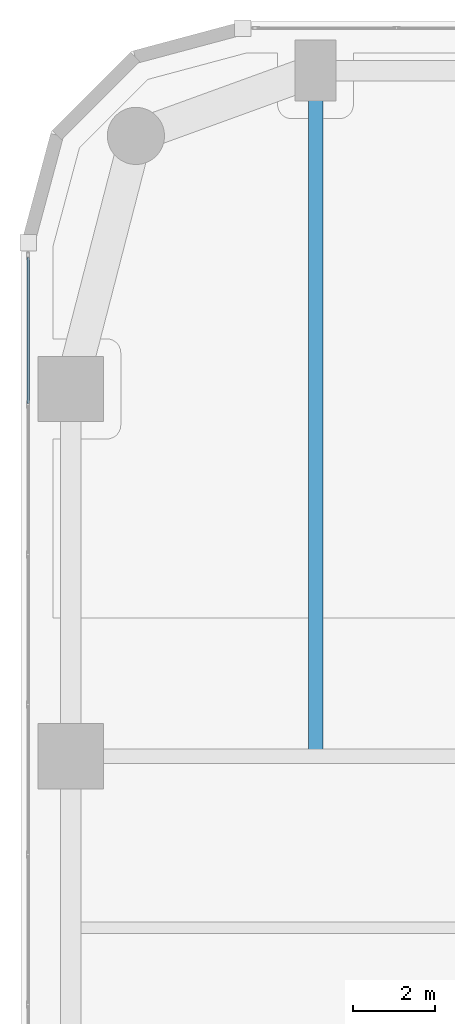
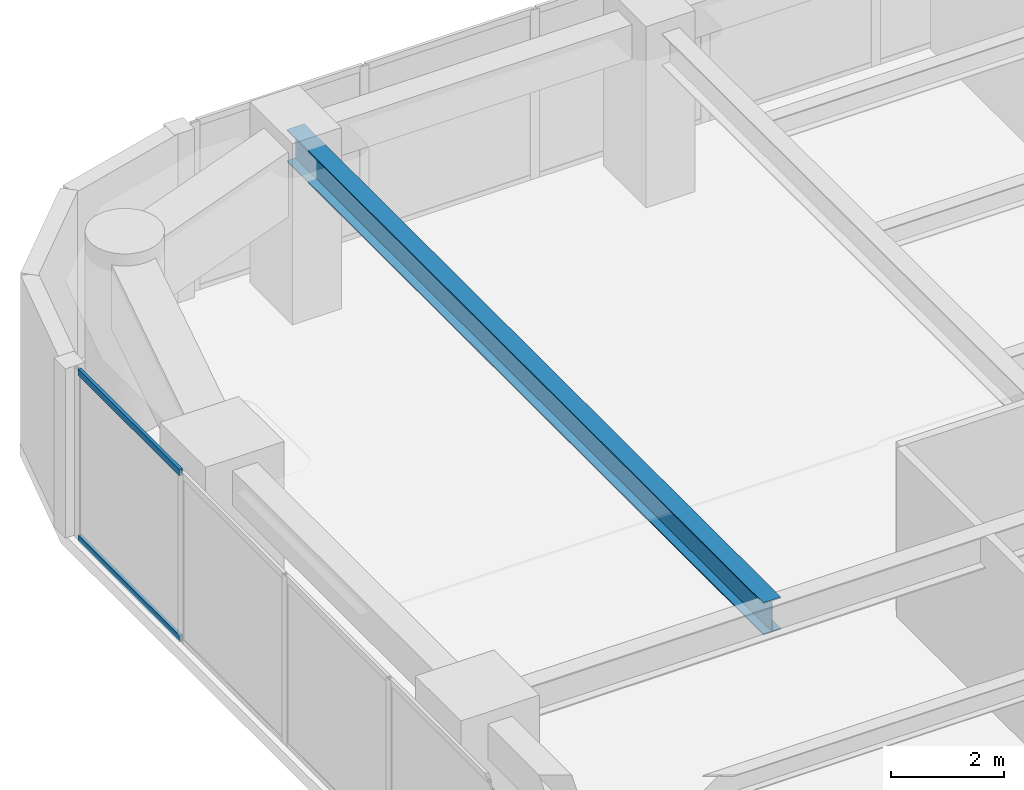
# One storey, part 13 of 28: 2 members, 1 beam, 1 element without a shape of its own.
"""IFC4 building model written with IfcOpenShell, lengths in metres."""

from ifc_helpers import new_model, si_unit, direction, frame, origin, origin_2d, place, context, subcontext, project, spatial, hollow_rectangle, i_section, extrude, material, layer, layer_set, material_profile, profile_set, type_object, element, aggregate, save


model = new_model("IFC4")

# Units and contexts
model_context = context("Model", 3, precision=1e-05, world=origin(), true_north=direction((0.0, 1.0)))
body_context = subcontext(model_context, "Body", "Model", "MODEL_VIEW")
ifc_project = project(units=[si_unit("LENGTHUNIT", "METRE"), si_unit("AREAUNIT", "SQUARE_METRE"), si_unit("VOLUMEUNIT", "CUBIC_METRE"), si_unit("PLANEANGLEUNIT", "RADIAN"), si_unit("MASSUNIT", "GRAM", prefix="KILO")], contexts=[model_context])

# Site, building, storey
site_placement = place(None, origin())
site = spatial("IfcSite", under=ifc_project, at=site_placement, CompositionType="ELEMENT")
building_placement = place(site_placement, origin())
building = spatial("IfcBuilding", under=site, at=building_placement, Name="Kiyonajd Concourse Tower", CompositionType="ELEMENT")
storey_placement = place(building_placement, frame((0.0, 0.0, 64.5)))
storey = spatial("IfcBuildingStorey", under=building, at=storey_placement, Name="L17", CompositionType="ELEMENT", Elevation=64.5)

# Beam
ifc_material_1 = material(Name="Steel ASTM A992 Grade 50", Category="steel")
ifc_material_profile_1 = material_profile(ifc_material_1, i_section(OverallWidth=0.35498046875, OverallDepth=0.695068359375, WebThickness=0.015380859375, FlangeThickness=0.02490234375, at=origin_2d()), Name="W690X217")
ifc_profile_set_1 = profile_set([ifc_material_profile_1], Name="Steel ASTM A992 Grade 50")
beam_type = type_object("IfcBeamType", Name="BM-TWR-690", PredefinedType="BEAM", material=ifc_profile_set_1)
beam_placement = place(storey_placement, frame((25.199951171875, 44.39990234375, 3.29248046875), z_axis=(0.0, 1.0, 0.0), x_axis=(-1.0, 0.0, 0.0)))
element("IfcBeam", 1, at=beam_placement, inside=storey, type_object=beam_type, Name="L17 North Lease Girder", PredefinedType="BEAM", context=body_context, shape_type="SweptSolid", body=[
    extrude(i_section(OverallWidth=0.35498046875, OverallDepth=0.695068359375, WebThickness=0.015380859375, FlangeThickness=0.02490234375, at=origin_2d()), origin(), (0.0, 0.0, 1.0), 16.800048828125),
])

# Curtain wall, members
ifc_material_2 = material(Name="Thermally Broken Anodised Aluminium", Category="aluminium")
ifc_layer = layer(ifc_material_2, 0.179931640625)
ifc_layer_set = layer_set([ifc_layer], Name="Thermally Broken Anodised Aluminium")
curtain_wall_type = type_object("IfcCurtainWallType", Name="CW-SYS-02", PredefinedType="NOTDEFINED", material=ifc_layer_set)
curtain_wall_placement = place(storey_placement, origin())
curtain_wall = element("IfcCurtainWall", 2, at=curtain_wall_placement, inside=storey, type_object=curtain_wall_type, Name="L17 Unitised Curtain Wall CW2", PredefinedType="NOTDEFINED")
ifc_material_profile_2 = material_profile(ifc_material_2, hollow_rectangle(XDim=0.06494140625, YDim=0.139892578125, WallThickness=0.00390625, at=origin_2d()), Name="TRAN-65x140")
ifc_profile_set_2 = profile_set([ifc_material_profile_2], Name="Thermally Broken Anodised Aluminium")
member_type = type_object("IfcMemberType", Name="MB-CW-TRAN1", PredefinedType="USERDEFINED", material=ifc_profile_set_2)
member_1_placement = place(storey_placement, frame((18.159912109375, 53.04833984375, 0.032470703125), z_axis=(0.0, 1.0, 0.0), x_axis=(-1.0, 0.0, 0.0)))
member_1 = element("IfcMember", 3, at=member_1_placement, type_object=member_type, Name="CW2 transom 6.1", ObjectType="TRANSOM", PredefinedType="USERDEFINED", context=body_context, shape_type="SweptSolid", body=[
    extrude(hollow_rectangle(XDim=0.06494140625, YDim=0.139892578125, WallThickness=0.00390625, at=origin_2d()), origin(), (0.0, 0.0, 1.0), 3.575439453125),
])
member_2_placement = place(storey_placement, frame((18.159912109375, 53.04833984375, 3.607421875), z_axis=(0.0, 1.0, 0.0), x_axis=(-1.0, 0.0, 0.0)))
member_2 = element("IfcMember", 4, at=member_2_placement, type_object=member_type, Name="CW2 transom 6.2", ObjectType="TRANSOM", PredefinedType="USERDEFINED", context=body_context, shape_type="SweptSolid", body=[
    extrude(hollow_rectangle(XDim=0.06494140625, YDim=0.139892578125, WallThickness=0.00390625, at=origin_2d()), origin(), (0.0, 0.0, 1.0), 3.575439453125),
])
aggregate(curtain_wall, [member_1, member_2])

save(model, "model.ifc")
